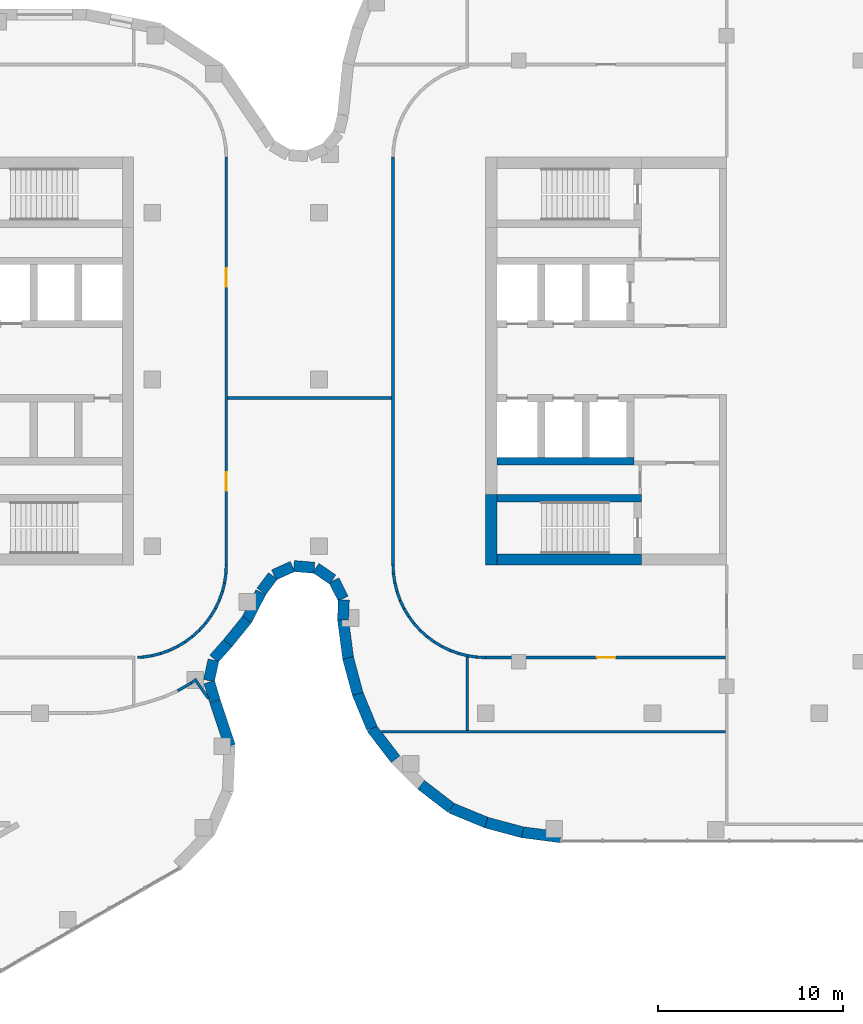
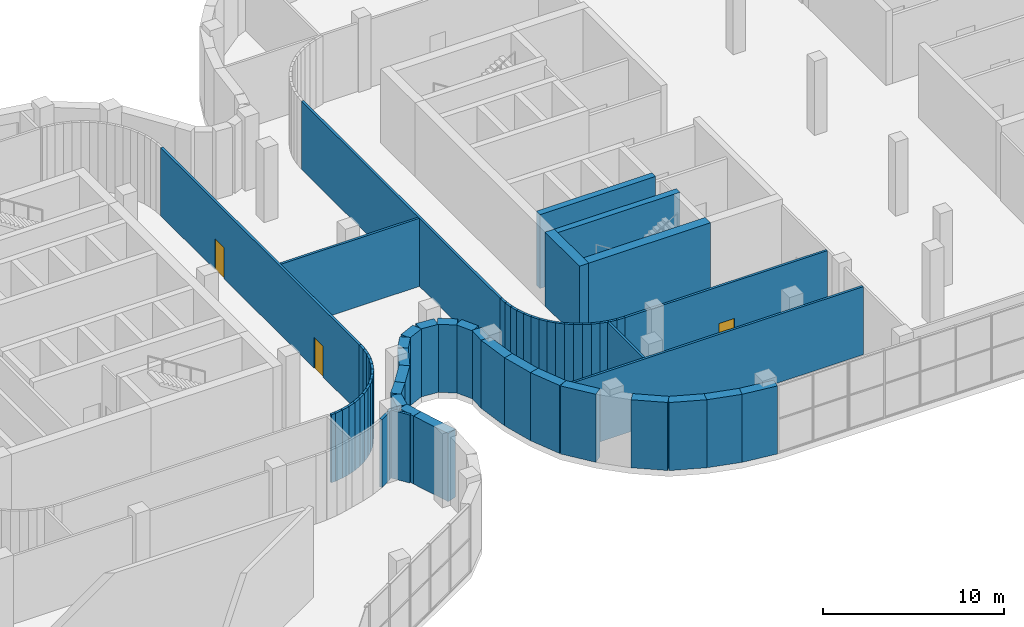
# One storey, part 14 of 24: 65 walls, 3 doors, 3 openings.
"""IFC4 building model written with IfcOpenShell, lengths in metres."""

from ifc_helpers import new_model, si_unit, direction, frame, frame_2d, origin, place, context, subcontext, project, spatial, rectangle, extrude, material, layer, layer_set, type_object, element, fill, save


model = new_model("IFC4")

# Units and contexts
model_context = context("Model", 3, precision=1e-05, world=origin(), true_north=direction((0.0, 1.0)))
body_context = subcontext(model_context, "Body", "Model", "MODEL_VIEW")
ifc_project = project(units=[si_unit("LENGTHUNIT", "METRE"), si_unit("AREAUNIT", "SQUARE_METRE"), si_unit("VOLUMEUNIT", "CUBIC_METRE"), si_unit("PLANEANGLEUNIT", "RADIAN"), si_unit("MASSUNIT", "GRAM", prefix="KILO")], contexts=[model_context])

# Site, building, storey
site_placement = place(None, origin())
site = spatial("IfcSite", under=ifc_project, at=site_placement, CompositionType="ELEMENT")
building_placement = place(site_placement, origin())
building = spatial("IfcBuilding", under=site, at=building_placement, Name="Skarvind Civic Tower", CompositionType="ELEMENT")
storey_placement = place(building_placement, frame((0.0, 0.0, 12.5)))
storey = spatial("IfcBuildingStorey", under=building, at=storey_placement, Name="L02", CompositionType="ELEMENT", Elevation=12.5)

# Walls
ifc_material_1 = material(Name="Concrete C80", Category="concrete")
ifc_layer_1 = layer(ifc_material_1, 0.39990234375)
ifc_layer_set_1 = layer_set([ifc_layer_1], Name="Core wall 400 C80")
wall_type_1 = type_object("IfcWallType", Name="Core wall 400 C80", PredefinedType="SHEAR", material=ifc_layer_set_1)
wall_1_placement = place(storey_placement, frame((127.60009765625, 120.60009765625, 0.0), z_axis=(0.0, 0.0, 1.0), x_axis=(1.0, 0.0, 0.0)))
element("IfcWall", 1, at=wall_1_placement, inside=storey, type_object=wall_type_1, Name="Core wall CA south stair inner L02", PredefinedType="SHEAR", context=body_context, shape_type="SweptSolid", body=[
    extrude(rectangle(XDim=7.7998046875, YDim=0.39990234375, at=frame_2d((3.89990234375, 0.0))), origin(), (0.0, 0.0, 1.0), 5.0),
])
wall_2_placement = place(storey_placement, frame((127.60009765625, 122.60009765625, 0.0), z_axis=(0.0, 0.0, 1.0), x_axis=(1.0, 0.0, 0.0)))
element("IfcWall", 2, at=wall_2_placement, inside=storey, type_object=wall_type_1, Name="Core wall CA south lift row back L02", PredefinedType="SHEAR", context=body_context, shape_type="SweptSolid", body=[
    extrude(rectangle(XDim=7.39990234375, YDim=0.39990234375, at=frame_2d((3.699951171875, 0.0))), origin(), (0.0, 0.0, 1.0), 5.0),
])
ifc_layer_2 = layer(ifc_material_1, 0.60009765625)
ifc_layer_set_2 = layer_set([ifc_layer_2], Name="Core wall 600 C80")
wall_type_2 = type_object("IfcWallType", Name="Core wall 600 C80", PredefinedType="SHEAR", material=ifc_layer_set_2)
wall_3_placement = place(storey_placement, frame((127.300048828125, 117.0, 0.0), z_axis=(0.0, 0.0, 1.0), x_axis=(0.0, 1.0, 0.0)))
element("IfcWall", 3, at=wall_3_placement, inside=storey, type_object=wall_type_2, Name="Core wall CA tip at the south stair L02", PredefinedType="SHEAR", context=body_context, shape_type="SweptSolid", body=[
    extrude(rectangle(XDim=3.800048828125, YDim=0.60009765625, at=frame_2d((1.89990234375, 0.0))), origin(), (0.0, 0.0, 1.0), 5.0),
])
wall_4_placement = place(storey_placement, frame((127.60009765625, 117.300048828125, 0.0), z_axis=(0.0, 0.0, 1.0), x_axis=(1.0, 0.0, 0.0)))
element("IfcWall", 4, at=wall_4_placement, inside=storey, type_object=wall_type_2, Name="Core wall CA south side at the stair L02", PredefinedType="SHEAR", context=body_context, shape_type="SweptSolid", body=[
    extrude(rectangle(XDim=7.7998046875, YDim=0.60009765625, at=frame_2d((3.89990234375, 0.0))), origin(), (0.0, 0.0, 1.0), 5.0),
])
ifc_material_2 = material(Name="Plasterboard partition on steel studs", Category="steel")
ifc_layer_3 = layer(ifc_material_2, 0.14990234375)
ifc_layer_set_3 = layer_set([ifc_layer_3], Name="PARTITION 150")
wall_type_3 = type_object("IfcWallType", Name="PARTITION 150", PredefinedType="PARTITIONING", material=ifc_layer_set_3)
wall_5_placement = place(storey_placement, frame((108.214111328125, 112.010009765625, 0.0), z_axis=(0.0, 0.0, 1.0), x_axis=(0.99876534507, 0.049676810357, 0.0)))
element("IfcWall", 5, at=wall_5_placement, inside=storey, type_object=wall_type_3, Name="Podium partition L02 190", PredefinedType="PARTITIONING", context=body_context, shape_type="SweptSolid", body=[
    extrude(rectangle(XDim=0.280029296875, YDim=0.14990234375, at=frame_2d((0.14013671875, 0.0))), origin(), (0.0, 0.0, 1.0), 4.60009765625),
])
wall_6_placement = place(storey_placement, frame((108.486083984375, 112.02294921875, 0.0), z_axis=(0.0, 0.0, 1.0), x_axis=(0.988925572052, 0.148412307247, 0.0)))
element("IfcWall", 6, at=wall_6_placement, inside=storey, type_object=wall_type_3, Name="Podium partition L02 193", PredefinedType="PARTITIONING", context=body_context, shape_type="SweptSolid", body=[
    extrude(rectangle(XDim=0.49853515625, YDim=0.14990234375, at=frame_2d((0.249267578125, 0.0))), origin(), (0.0, 0.0, 1.0), 4.60009765625),
])
wall_7_placement = place(storey_placement, frame((108.970947265625, 112.094970703125, 0.0), z_axis=(0.0, 0.0, 1.0), x_axis=(0.970113715952, 0.242650732785, 0.0)))
element("IfcWall", 7, at=wall_7_placement, inside=storey, type_object=wall_type_3, Name="Podium partition L02 196", PredefinedType="PARTITIONING", context=body_context, shape_type="SweptSolid", body=[
    extrude(rectangle(XDim=0.4990234375, YDim=0.14990234375, at=frame_2d((0.24951171875, 0.0))), origin(), (0.0, 0.0, 1.0), 4.60009765625),
])
for number, where, z_axis, x_axis, name in (
    (8, (109.447021484375, 112.214111328125, 0.0), (0.0, 0.0, 1.0), (0.941442168887, 0.3371744988, 0.0), "Podium partition L02 198"),
    (9, (109.909912109375, 112.37890625, 0.0), (0.0, 0.0, 1.0), (0.903827641978, 0.427896709028, 0.0), "Podium partition L02 201"),
):
    element("IfcWall", number, at=place(storey_placement, frame(where, z_axis=z_axis, x_axis=x_axis)), inside=storey, type_object=wall_type_3, Name=name, PredefinedType="PARTITIONING", context=body_context, shape_type="SweptSolid", body=[
        extrude(rectangle(XDim=0.498046875, YDim=0.14990234375, at=frame_2d((0.2490234375, 0.0))), origin(), (0.0, 0.0, 1.0), 4.60009765625),
    ])
wall_8_placement = place(storey_placement, frame((110.35400390625, 112.587890625, 0.0), z_axis=(0.0, 0.0, 1.0), x_axis=(0.85671397893, 0.515791778052, 0.0)))
element("IfcWall", 10, at=wall_8_placement, inside=storey, type_object=wall_type_3, Name="Podium partition L02 203", PredefinedType="PARTITIONING", context=body_context, shape_type="SweptSolid", body=[
    extrude(rectangle(XDim=0.49853515625, YDim=0.14990234375, at=frame_2d((0.249267578125, 0.0))), origin(), (0.0, 0.0, 1.0), 4.60009765625),
])
wall_9_placement = place(storey_placement, frame((110.37890625, 110.205078125, 0.0), z_axis=(0.0, 0.0, 1.0), x_axis=(0.865670246418, 0.500614646676, 0.0)))
element("IfcWall", 11, at=wall_9_placement, inside=storey, type_object=wall_type_3, Name="Podium partition L02 205", PredefinedType="PARTITIONING", context=body_context, shape_type="SweptSolid", body=[
    extrude(rectangle(XDim=0.8447265625, YDim=0.14990234375, at=frame_2d((0.42236328125, 0.0))), origin(), (0.0, 0.0, 1.0), 4.60009765625),
])
wall_10_placement = place(storey_placement, frame((110.77490234375, 112.841064453125, 0.0), z_axis=(0.0, 0.0, 1.0), x_axis=(0.80404358372, 0.594570362092, 0.0)))
element("IfcWall", 12, at=wall_10_placement, inside=storey, type_object=wall_type_3, Name="Podium partition L02 206", PredefinedType="PARTITIONING", context=body_context, shape_type="SweptSolid", body=[
    extrude(rectangle(XDim=0.49755859375, YDim=0.14990234375, at=frame_2d((0.248779296875, 0.0))), origin(), (0.0, 0.0, 1.0), 4.60009765625),
])
wall_11_placement = place(storey_placement, frame((111.10400390625, 110.6240234375, 0.0), z_axis=(0.0, 0.0, 1.0), x_axis=(0.810031464643, 0.586386413799, 0.0)))
element("IfcWall", 13, at=wall_11_placement, inside=storey, type_object=wall_type_3, Name="Podium partition L02 208", PredefinedType="PARTITIONING", context=body_context, shape_type="SweptSolid", body=[
    extrude(rectangle(XDim=0.358154296875, YDim=0.14990234375, at=frame_2d((0.17919921875, 0.0))), origin(), (0.0, 0.0, 1.0), 4.60009765625),
])
wall_12_placement = place(storey_placement, frame((111.1689453125, 113.133056640625, 0.0), z_axis=(0.0, 0.0, 1.0), x_axis=(0.742416880587, 0.66993818776, 0.0)))
element("IfcWall", 14, at=wall_12_placement, inside=storey, type_object=wall_type_3, Name="Podium partition L02 209", PredefinedType="PARTITIONING", context=body_context, shape_type="SweptSolid", body=[
    extrude(rectangle(XDim=0.49853515625, YDim=0.14990234375, at=frame_2d((0.249267578125, 0.0))), origin(), (0.0, 0.0, 1.0), 4.60009765625),
])
wall_13_placement = place(storey_placement, frame((111.3759765625, 110.72900390625, 0.0), z_axis=(0.0, 0.0, 1.0), x_axis=(0.573347602385, -0.819312227933, 0.0)))
element("IfcWall", 15, at=wall_13_placement, inside=storey, type_object=wall_type_3, Name="Podium partition L02 211", PredefinedType="PARTITIONING", context=body_context, shape_type="SweptSolid", body=[
    extrude(rectangle(XDim=1.142578125, YDim=0.14990234375, at=frame_2d((0.5712890625, 0.0))), origin(), (0.0, 0.0, 1.0), 4.60009765625),
])
wall_14_placement = place(storey_placement, frame((111.532958984375, 113.4609375, 0.0), z_axis=(0.0, 0.0, 1.0), x_axis=(0.66993818776, 0.742416880587, 0.0)))
element("IfcWall", 16, at=wall_14_placement, inside=storey, type_object=wall_type_3, Name="Podium partition L02 212", PredefinedType="PARTITIONING", context=body_context, shape_type="SweptSolid", body=[
    extrude(rectangle(XDim=0.49853515625, YDim=0.14990234375, at=frame_2d((0.249267578125, 0.0))), origin(), (0.0, 0.0, 1.0), 4.60009765625),
])
wall_15_placement = place(storey_placement, frame((111.863037109375, 113.824951171875, 0.0), z_axis=(0.0, 0.0, 1.0), x_axis=(0.594570362092, 0.80404358372, 0.0)))
element("IfcWall", 17, at=wall_15_placement, inside=storey, type_object=wall_type_3, Name="Podium partition L02 214", PredefinedType="PARTITIONING", context=body_context, shape_type="SweptSolid", body=[
    extrude(rectangle(XDim=0.49755859375, YDim=0.14990234375, at=frame_2d((0.248779296875, 0.0))), origin(), (0.0, 0.0, 1.0), 4.60009765625),
])
wall_16_placement = place(storey_placement, frame((112.155029296875, 114.218994140625, 0.0), z_axis=(0.0, 0.0, 1.0), x_axis=(0.515791778052, 0.85671397893, 0.0)))
element("IfcWall", 18, at=wall_16_placement, inside=storey, type_object=wall_type_3, Name="Podium partition L02 216", PredefinedType="PARTITIONING", context=body_context, shape_type="SweptSolid", body=[
    extrude(rectangle(XDim=0.49853515625, YDim=0.14990234375, at=frame_2d((0.249267578125, 0.0))), origin(), (0.0, 0.0, 1.0), 4.60009765625),
])
for number, where, z_axis, x_axis, name in (
    (19, (112.407958984375, 114.639892578125, 0.0), (0.0, 0.0, 1.0), (0.427896709028, 0.903827641978, 0.0), "Podium partition L02 218"),
    (20, (112.617919921875, 115.083984375, 0.0), (0.0, 0.0, 1.0), (0.3371744988, 0.941442168887, 0.0), "Podium partition L02 220"),
):
    element("IfcWall", number, at=place(storey_placement, frame(where, z_axis=z_axis, x_axis=x_axis)), inside=storey, type_object=wall_type_3, Name=name, PredefinedType="PARTITIONING", context=body_context, shape_type="SweptSolid", body=[
        extrude(rectangle(XDim=0.498046875, YDim=0.14990234375, at=frame_2d((0.2490234375, 0.0))), origin(), (0.0, 0.0, 1.0), 4.60009765625),
    ])
wall_17_placement = place(storey_placement, frame((112.783935546875, 115.544921875, 0.0), z_axis=(0.0, 0.0, 1.0), x_axis=(0.242650732785, 0.970113715952, 0.0)))
element("IfcWall", 21, at=wall_17_placement, inside=storey, type_object=wall_type_3, Name="Podium partition L02 222", PredefinedType="PARTITIONING", context=body_context, shape_type="SweptSolid", body=[
    extrude(rectangle(XDim=0.4990234375, YDim=0.14990234375, at=frame_2d((0.24951171875, 0.0))), origin(), (0.0, 0.0, 1.0), 4.60009765625),
])
wall_18_placement = place(storey_placement, frame((112.903076171875, 116.02099609375, 0.0), z_axis=(0.0, 0.0, 1.0), x_axis=(0.148412307247, 0.988925572052, 0.0)))
element("IfcWall", 22, at=wall_18_placement, inside=storey, type_object=wall_type_3, Name="Podium partition L02 224", PredefinedType="PARTITIONING", context=body_context, shape_type="SweptSolid", body=[
    extrude(rectangle(XDim=0.49853515625, YDim=0.14990234375, at=frame_2d((0.249267578125, 0.0))), origin(), (0.0, 0.0, 1.0), 4.60009765625),
])
wall_19_placement = place(storey_placement, frame((112.97607421875, 116.506103515625, 0.0), z_axis=(0.0, 0.0, 1.0), x_axis=(0.048196018647, 0.998837896651, 0.0)))
element("IfcWall", 23, at=wall_19_placement, inside=storey, type_object=wall_type_3, Name="Podium partition L02 226", PredefinedType="PARTITIONING", context=body_context, shape_type="SweptSolid", body=[
    extrude(rectangle(XDim=0.496337890625, YDim=0.14990234375, at=frame_2d((0.248046875, 0.0))), origin(), (0.0, 0.0, 1.0), 4.60009765625),
])

# Wall, openings, doors
wall_20_placement = place(storey_placement, frame((113.0, 139.001953125, 0.0), z_axis=(0.0, 0.0, 1.0), x_axis=(0.0, -1.0, 0.0)))
wall_20 = element("IfcWall", 24, at=wall_20_placement, inside=storey, type_object=wall_type_3, Name="Podium partition L02 228", PredefinedType="PARTITIONING", context=body_context, shape_type="SweptSolid", body=[
    extrude(rectangle(XDim=22.00390625, YDim=0.14990234375, at=frame_2d((11.001953125, 0.0))), origin(), (0.0, 0.0, 1.0), 4.60009765625),
])
opening_1_placement = place(wall_20_placement, frame((17.0, 0.0, 0.0)))
opening_1 = element("IfcOpeningElement", 25, at=opening_1_placement, cuts=wall_20, Name="Opening L02-D231", PredefinedType="OPENING", context=body_context, shape_type="SweptSolid", body=[
    extrude(rectangle(XDim=1.0, YDim=2.10009765625, at=frame_2d((0.5, 1.050048828125))), frame((0.0, 0.0849609375, 0.0), z_axis=(0.0, -1.0, 0.0), x_axis=(1.0, 0.0, 0.0)), (0.0, 0.0, 1.0), 0.169921875),
])
opening_2_placement = place(wall_20_placement, frame((6.00390625, 0.0, 0.0)))
opening_2 = element("IfcOpeningElement", 26, at=opening_2_placement, cuts=wall_20, Name="Opening L02-D232", PredefinedType="OPENING", context=body_context, shape_type="SweptSolid", body=[
    extrude(rectangle(XDim=1.0, YDim=2.10009765625, at=frame_2d((0.5, 1.050048828125))), frame((0.0, 0.0849609375, 0.0), z_axis=(0.0, -1.0, 0.0), x_axis=(1.0, 0.0, 0.0)), (0.0, 0.0, 1.0), 0.169921875),
])
ifc_material_3 = material(Name="Timber veneer door leaf", Category="wood")
door_type = type_object("IfcDoorType", Name="DOOR 1000X2100 TIMBER", OperationType="NOTDEFINED", PredefinedType="DOOR", material=ifc_material_3)
door_1_placement = place(opening_1_placement, origin())
door_1 = element("IfcDoor", 27, at=door_1_placement, inside=storey, type_object=door_type, Name="DOOR DOOR", OperationType="SINGLE_SWING_RIGHT", OverallHeight=2.10009765625, OverallWidth=1.0, PredefinedType="DOOR", context=body_context, shape_type="SweptSolid", body=[
    extrude(rectangle(XDim=1.0, YDim=2.10009765625, at=frame_2d((0.5, 1.050048828125))), frame((0.0, 0.02490234375, 0.0), z_axis=(0.0, -1.0, 0.0), x_axis=(1.0, 0.0, 0.0)), (0.0, 0.0, 1.0), 0.050048828125),
])
fill(opening_1, door_1)
door_2_placement = place(opening_2_placement, origin())
door_2 = element("IfcDoor", 28, at=door_2_placement, inside=storey, type_object=door_type, Name="DOOR DOOR", OperationType="SINGLE_SWING_LEFT", OverallHeight=2.10009765625, OverallWidth=1.0, PredefinedType="DOOR", context=body_context, shape_type="SweptSolid", body=[
    extrude(rectangle(XDim=1.0, YDim=2.10009765625, at=frame_2d((0.5, 1.050048828125))), frame((0.0, 0.02490234375, 0.0), z_axis=(0.0, -1.0, 0.0), x_axis=(1.0, 0.0, 0.0)), (0.0, 0.0, 1.0), 0.050048828125),
])
fill(opening_2, door_2)

# Walls
wall_21_placement = place(storey_placement, frame((113.074951171875, 126.0, 0.0), z_axis=(0.0, 0.0, 1.0), x_axis=(1.0, 0.0, 0.0)))
element("IfcWall", 29, at=wall_21_placement, inside=storey, type_object=wall_type_3, Name="Podium partition L02 229", PredefinedType="PARTITIONING", context=body_context, shape_type="SweptSolid", body=[
    extrude(rectangle(XDim=8.85009765625, YDim=0.14990234375, at=frame_2d((4.425048828125, 0.0))), origin(), (0.0, 0.0, 1.0), 4.60009765625),
])
wall_22_placement = place(storey_placement, frame((121.367919921875, 108.0, 0.0), z_axis=(0.0, 0.0, 1.0), x_axis=(1.0, 0.0, 0.0)))
element("IfcWall", 30, at=wall_22_placement, inside=storey, type_object=wall_type_3, Name="Podium partition L02 231", PredefinedType="PARTITIONING", context=body_context, shape_type="SweptSolid", body=[
    extrude(rectangle(XDim=18.55712890625, YDim=0.14990234375, at=frame_2d((9.278564453125, 0.0))), origin(), (0.0, 0.0, 1.0), 4.60009765625),
])
wall_23_placement = place(storey_placement, frame((122.0, 116.998046875, 0.0), z_axis=(0.0, 0.0, 1.0), x_axis=(0.0, 1.0, 0.0)))
element("IfcWall", 31, at=wall_23_placement, inside=storey, type_object=wall_type_3, Name="Podium partition L02 232", PredefinedType="PARTITIONING", context=body_context, shape_type="SweptSolid", body=[
    extrude(rectangle(XDim=22.00390625, YDim=0.14990234375, at=frame_2d((11.001953125, 0.0))), origin(), (0.0, 0.0, 1.0), 4.60009765625),
])
wall_24_placement = place(storey_placement, frame((122.0, 117.001953125, 0.0), z_axis=(0.0, 0.0, 1.0), x_axis=(0.048196018647, -0.998837896651, 0.0)))
element("IfcWall", 32, at=wall_24_placement, inside=storey, type_object=wall_type_3, Name="Podium partition L02 233", PredefinedType="PARTITIONING", context=body_context, shape_type="SweptSolid", body=[
    extrude(rectangle(XDim=0.496337890625, YDim=0.14990234375, at=frame_2d((0.248046875, 0.0))), origin(), (0.0, 0.0, 1.0), 4.60009765625),
])
wall_25_placement = place(storey_placement, frame((122.02294921875, 116.513916015625, 0.0), z_axis=(0.0, 0.0, 1.0), x_axis=(0.148412307247, -0.988925572052, 0.0)))
element("IfcWall", 33, at=wall_25_placement, inside=storey, type_object=wall_type_3, Name="Podium partition L02 235", PredefinedType="PARTITIONING", context=body_context, shape_type="SweptSolid", body=[
    extrude(rectangle(XDim=0.49853515625, YDim=0.14990234375, at=frame_2d((0.249267578125, 0.0))), origin(), (0.0, 0.0, 1.0), 4.60009765625),
])
wall_26_placement = place(storey_placement, frame((122.094970703125, 116.029052734375, 0.0), z_axis=(0.0, 0.0, 1.0), x_axis=(0.242650732785, -0.970113715952, 0.0)))
element("IfcWall", 34, at=wall_26_placement, inside=storey, type_object=wall_type_3, Name="Podium partition L02 237", PredefinedType="PARTITIONING", context=body_context, shape_type="SweptSolid", body=[
    extrude(rectangle(XDim=0.4990234375, YDim=0.14990234375, at=frame_2d((0.24951171875, 0.0))), origin(), (0.0, 0.0, 1.0), 4.60009765625),
])
for number, where, z_axis, x_axis, name in (
    (35, (122.214111328125, 115.552978515625, 0.0), (0.0, 0.0, 1.0), (0.3371744988, -0.941442168887, 0.0), "Podium partition L02 239"),
    (36, (122.37890625, 115.090087890625, 0.0), (0.0, 0.0, 1.0), (0.427896709028, -0.903827641978, 0.0), "Podium partition L02 241"),
):
    element("IfcWall", number, at=place(storey_placement, frame(where, z_axis=z_axis, x_axis=x_axis)), inside=storey, type_object=wall_type_3, Name=name, PredefinedType="PARTITIONING", context=body_context, shape_type="SweptSolid", body=[
        extrude(rectangle(XDim=0.498046875, YDim=0.14990234375, at=frame_2d((0.2490234375, 0.0))), origin(), (0.0, 0.0, 1.0), 4.60009765625),
    ])
wall_27_placement = place(storey_placement, frame((122.587890625, 114.64599609375, 0.0), z_axis=(0.0, 0.0, 1.0), x_axis=(0.515791778052, -0.85671397893, 0.0)))
element("IfcWall", 37, at=wall_27_placement, inside=storey, type_object=wall_type_3, Name="Podium partition L02 243", PredefinedType="PARTITIONING", context=body_context, shape_type="SweptSolid", body=[
    extrude(rectangle(XDim=0.49853515625, YDim=0.14990234375, at=frame_2d((0.249267578125, 0.0))), origin(), (0.0, 0.0, 1.0), 4.60009765625),
])
wall_28_placement = place(storey_placement, frame((122.841064453125, 114.22509765625, 0.0), z_axis=(0.0, 0.0, 1.0), x_axis=(0.594570362092, -0.80404358372, 0.0)))
element("IfcWall", 38, at=wall_28_placement, inside=storey, type_object=wall_type_3, Name="Podium partition L02 245", PredefinedType="PARTITIONING", context=body_context, shape_type="SweptSolid", body=[
    extrude(rectangle(XDim=0.49755859375, YDim=0.14990234375, at=frame_2d((0.248779296875, 0.0))), origin(), (0.0, 0.0, 1.0), 4.60009765625),
])
for number, where, z_axis, x_axis, name in (
    (39, (123.133056640625, 113.8310546875, 0.0), (0.0, 0.0, 1.0), (0.66993818776, -0.742416880587, 0.0), "Podium partition L02 247"),
    (40, (123.4609375, 113.467041015625, 0.0), (0.0, 0.0, 1.0), (0.742416880587, -0.66993818776, 0.0), "Podium partition L02 249"),
):
    element("IfcWall", number, at=place(storey_placement, frame(where, z_axis=z_axis, x_axis=x_axis)), inside=storey, type_object=wall_type_3, Name=name, PredefinedType="PARTITIONING", context=body_context, shape_type="SweptSolid", body=[
        extrude(rectangle(XDim=0.49853515625, YDim=0.14990234375, at=frame_2d((0.249267578125, 0.0))), origin(), (0.0, 0.0, 1.0), 4.60009765625),
    ])
wall_29_placement = place(storey_placement, frame((123.824951171875, 113.136962890625, 0.0), z_axis=(0.0, 0.0, 1.0), x_axis=(0.80404358372, -0.594570362092, 0.0)))
element("IfcWall", 41, at=wall_29_placement, inside=storey, type_object=wall_type_3, Name="Podium partition L02 251", PredefinedType="PARTITIONING", context=body_context, shape_type="SweptSolid", body=[
    extrude(rectangle(XDim=0.49755859375, YDim=0.14990234375, at=frame_2d((0.248779296875, 0.0))), origin(), (0.0, 0.0, 1.0), 4.60009765625),
])
wall_30_placement = place(storey_placement, frame((124.218994140625, 112.844970703125, 0.0), z_axis=(0.0, 0.0, 1.0), x_axis=(0.85671397893, -0.515791778052, 0.0)))
element("IfcWall", 42, at=wall_30_placement, inside=storey, type_object=wall_type_3, Name="Podium partition L02 253", PredefinedType="PARTITIONING", context=body_context, shape_type="SweptSolid", body=[
    extrude(rectangle(XDim=0.49853515625, YDim=0.14990234375, at=frame_2d((0.249267578125, 0.0))), origin(), (0.0, 0.0, 1.0), 4.60009765625),
])
for number, where, z_axis, x_axis, name in (
    (43, (124.639892578125, 112.592041015625, 0.0), (0.0, 0.0, 1.0), (0.903827641978, -0.427896709028, 0.0), "Podium partition L02 255"),
    (44, (125.083984375, 112.382080078125, 0.0), (0.0, 0.0, 1.0), (0.941442168887, -0.3371744988, 0.0), "Podium partition L02 257"),
):
    element("IfcWall", number, at=place(storey_placement, frame(where, z_axis=z_axis, x_axis=x_axis)), inside=storey, type_object=wall_type_3, Name=name, PredefinedType="PARTITIONING", context=body_context, shape_type="SweptSolid", body=[
        extrude(rectangle(XDim=0.498046875, YDim=0.14990234375, at=frame_2d((0.2490234375, 0.0))), origin(), (0.0, 0.0, 1.0), 4.60009765625),
    ])
wall_31_placement = place(storey_placement, frame((125.544921875, 112.216064453125, 0.0), z_axis=(0.0, 0.0, 1.0), x_axis=(0.970116111764, -0.242641154168, 0.0)))
element("IfcWall", 45, at=wall_31_placement, inside=storey, type_object=wall_type_3, Name="Podium partition L02 259", PredefinedType="PARTITIONING", context=body_context, shape_type="SweptSolid", body=[
    extrude(rectangle(XDim=0.54443359375, YDim=0.14990234375, at=frame_2d((0.272216796875, 0.0))), origin(), (0.0, 0.0, 1.0), 4.60009765625),
])
wall_32_placement = place(storey_placement, frame((126.0, 108.074951171875, 0.0), z_axis=(0.0, 0.0, 1.0), x_axis=(0.0, 1.0, 0.0)))
element("IfcWall", 46, at=wall_32_placement, inside=storey, type_object=wall_type_3, Name="Podium partition L02 261", PredefinedType="PARTITIONING", context=body_context, shape_type="SweptSolid", body=[
    extrude(rectangle(XDim=3.949951171875, YDim=0.14990234375, at=frame_2d((1.97509765625, 0.0))), origin(), (0.0, 0.0, 1.0), 4.60009765625),
])
wall_33_placement = place(storey_placement, frame((126.02490234375, 112.095947265625, 0.0), z_axis=(0.0, 0.0, 1.0), x_axis=(0.989041138834, -0.147640189971, 0.0)))
element("IfcWall", 47, at=wall_33_placement, inside=storey, type_object=wall_type_3, Name="Podium partition L02 263", PredefinedType="PARTITIONING", context=body_context, shape_type="SweptSolid", body=[
    extrude(rectangle(XDim=0.494384765625, YDim=0.14990234375, at=frame_2d((0.2470703125, 0.0))), origin(), (0.0, 0.0, 1.0), 4.60009765625),
])
wall_34_placement = place(storey_placement, frame((126.506103515625, 112.02392578125, 0.0), z_axis=(0.0, 0.0, 1.0), x_axis=(0.998837896651, -0.048196018647, 0.0)))
element("IfcWall", 48, at=wall_34_placement, inside=storey, type_object=wall_type_3, Name="Podium partition L02 264", PredefinedType="PARTITIONING", context=body_context, shape_type="SweptSolid", body=[
    extrude(rectangle(XDim=0.496337890625, YDim=0.14990234375, at=frame_2d((0.248046875, 0.0))), origin(), (0.0, 0.0, 1.0), 4.60009765625),
])

# Wall, opening, door
wall_35_placement = place(storey_placement, frame((139.925048828125, 112.0, 0.0), z_axis=(0.0, 0.0, 1.0), x_axis=(-1.0, 0.0, 0.0)))
wall_35 = element("IfcWall", 49, at=wall_35_placement, inside=storey, type_object=wall_type_3, Name="Podium partition L02 265", PredefinedType="PARTITIONING", context=body_context, shape_type="SweptSolid", body=[
    extrude(rectangle(XDim=12.927001953125, YDim=0.14990234375, at=frame_2d((6.46337890625, 0.0))), origin(), (0.0, 0.0, 1.0), 4.60009765625),
])
opening_3_placement = place(wall_35_placement, frame((5.925048828125, 0.0, 0.0)))
opening_3 = element("IfcOpeningElement", 50, at=opening_3_placement, cuts=wall_35, Name="Opening L02-D233", PredefinedType="OPENING", context=body_context, shape_type="SweptSolid", body=[
    extrude(rectangle(XDim=1.0, YDim=2.10009765625, at=frame_2d((0.5, 1.050048828125))), frame((0.0, 0.0849609375, 0.0), z_axis=(0.0, -1.0, 0.0), x_axis=(1.0, 0.0, 0.0)), (0.0, 0.0, 1.0), 0.169921875),
])
door_3_placement = place(opening_3_placement, origin())
door_3 = element("IfcDoor", 51, at=door_3_placement, inside=storey, type_object=door_type, Name="DOOR DOOR", OperationType="SINGLE_SWING_RIGHT", OverallHeight=2.10009765625, OverallWidth=1.0, PredefinedType="DOOR", context=body_context, shape_type="SweptSolid", body=[
    extrude(rectangle(XDim=1.0, YDim=2.10009765625, at=frame_2d((0.5, 1.050048828125))), frame((0.0, 0.02490234375, 0.0), z_axis=(0.0, -1.0, 0.0), x_axis=(1.0, 0.0, 0.0)), (0.0, 0.0, 1.0), 0.050048828125),
])
fill(opening_3, door_3)

# Walls
ifc_material_4 = material(Name="Limestone masonry cladding on insulated backing", Category="masonry")
ifc_layer_4 = layer(ifc_material_4, 0.60009765625)
ifc_layer_set_4 = layer_set([ifc_layer_4], Name="WX1 STONE FACADE WALL 600")
wall_type_4 = type_object("IfcWallType", Name="WX1 STONE FACADE WALL 600", PredefinedType="SOLIDWALL", material=ifc_layer_set_4)
wall_36_placement = place(storey_placement, frame((112.388427734375, 109.643310546875, 0.0), z_axis=(0.0, 0.0, 1.0), x_axis=(0.31642839289, -0.948616398853, 0.0)))
element("IfcWall", 52, at=wall_36_placement, inside=storey, type_object=wall_type_4, Name="STONE FACADE WALL", PredefinedType="SOLIDWALL", context=body_context, shape_type="SweptSolid", body=[
    extrude(rectangle(XDim=2.555419921875, YDim=0.60009765625, at=frame_2d((1.27783203125, 0.0))), origin(), (0.0, 0.0, 1.0), 4.60009765625),
])
wall_37_placement = place(storey_placement, frame((112.080810546875, 110.67578125, 0.0), z_axis=(0.0, 0.0, 1.0), x_axis=(0.285396142495, -0.958409641985, 0.0)))
element("IfcWall", 53, at=wall_37_placement, inside=storey, type_object=wall_type_4, Name="STONE FACADE WALL", PredefinedType="SOLIDWALL", context=body_context, shape_type="SweptSolid", body=[
    extrude(rectangle(XDim=1.067626953125, YDim=0.60009765625, at=frame_2d((0.53369140625, 0.0))), origin(), (0.0, 0.0, 1.0), 4.60009765625),
])
wall_38_placement = place(storey_placement, frame((112.309814453125, 111.859130859375, 0.0), z_axis=(0.0, 0.0, 1.0), x_axis=(-0.216998636299, -0.976171906912, 0.0)))
element("IfcWall", 54, at=wall_38_placement, inside=storey, type_object=wall_type_4, Name="STONE FACADE WALL", PredefinedType="SOLIDWALL", context=body_context, shape_type="SweptSolid", body=[
    extrude(rectangle(XDim=1.137451171875, YDim=0.60009765625, at=frame_2d((0.56884765625, 0.0))), origin(), (0.0, 0.0, 1.0), 4.60009765625),
])
wall_39_placement = place(storey_placement, frame((113.0791015625, 112.77392578125, 0.0), z_axis=(0.0, 0.0, 1.0), x_axis=(-0.664538540083, -0.747253992123, 0.0)))
element("IfcWall", 55, at=wall_39_placement, inside=storey, type_object=wall_type_4, Name="STONE FACADE WALL", PredefinedType="SOLIDWALL", context=body_context, shape_type="SweptSolid", body=[
    extrude(rectangle(XDim=1.12744140625, YDim=0.60009765625, at=frame_2d((0.563720703125, 0.0))), origin(), (0.0, 0.0, 1.0), 4.60009765625),
])
wall_40_placement = place(storey_placement, frame((114.114501953125, 114.05078125, 0.0), z_axis=(0.0, 0.0, 1.0), x_axis=(-0.630015715698, -0.77658238325, 0.0)))
element("IfcWall", 56, at=wall_40_placement, inside=storey, type_object=wall_type_4, Name="STONE FACADE WALL", PredefinedType="SOLIDWALL", context=body_context, shape_type="SweptSolid", body=[
    extrude(rectangle(XDim=1.657470703125, YDim=0.60009765625, at=frame_2d((0.82861328125, 0.0))), origin(), (0.0, 0.0, 1.0), 4.60009765625),
])
wall_41_placement = place(storey_placement, frame((114.865478515625, 115.524658203125, 0.0), z_axis=(0.0, 0.0, 1.0), x_axis=(-0.454203210797, -0.890898110505, 0.0)))
element("IfcWall", 57, at=wall_41_placement, inside=storey, type_object=wall_type_4, Name="STONE FACADE WALL", PredefinedType="SOLIDWALL", context=body_context, shape_type="SweptSolid", body=[
    extrude(rectangle(XDim=1.687255859375, YDim=0.60009765625, at=frame_2d((0.84375, 0.0))), origin(), (0.0, 0.0, 1.0), 4.60009765625),
])
wall_42_placement = place(storey_placement, frame((115.5166015625, 116.39990234375, 0.0), z_axis=(0.0, 0.0, 1.0), x_axis=(-0.60018790921, -0.799859033604, 0.0)))
element("IfcWall", 58, at=wall_42_placement, inside=storey, type_object=wall_type_4, Name="STONE FACADE WALL", PredefinedType="SOLIDWALL", context=body_context, shape_type="SweptSolid", body=[
    extrude(rectangle(XDim=1.039306640625, YDim=0.60009765625, at=frame_2d((0.51953125, 0.0))), origin(), (0.0, 0.0, 1.0), 4.60009765625),
])
for number, where, z_axis, x_axis, name in (
    (59, (116.5771484375, 116.91015625, 0.0), (0.0, 0.0, 1.0), (-0.912911040257, -0.408158587533, 0.0), "STONE FACADE WALL"),
    (60, (117.751953125, 116.841552734375, 0.0), (0.0, 0.0, 1.0), (-0.996273540208, 0.086249829453, 0.0), "STONE FACADE WALL"),
):
    element("IfcWall", number, at=place(storey_placement, frame(where, z_axis=z_axis, x_axis=x_axis)), inside=storey, type_object=wall_type_4, Name=name, PredefinedType="SOLIDWALL", context=body_context, shape_type="SweptSolid", body=[
        extrude(rectangle(XDim=1.109619140625, YDim=0.60009765625, at=frame_2d((0.5546875, 0.0))), origin(), (0.0, 0.0, 1.0), 4.60009765625),
    ])
for number, where, z_axis, x_axis, name in (
    (61, (118.74560546875, 116.211181640625, 0.0), (0.0, 0.0, 1.0), (-0.829195474535, 0.558958732834, 0.0), "STONE FACADE WALL"),
    (62, (119.308837890625, 115.177978515625, 0.0), (0.0, 0.0, 1.0), (-0.453803794189, 0.891101630781, 0.0), "STONE FACADE WALL"),
):
    element("IfcWall", number, at=place(storey_placement, frame(where, z_axis=z_axis, x_axis=x_axis)), inside=storey, type_object=wall_type_4, Name=name, PredefinedType="SOLIDWALL", context=body_context, shape_type="SweptSolid", body=[
        extrude(rectangle(XDim=1.109375, YDim=0.60009765625, at=frame_2d((0.5546875, 0.0))), origin(), (0.0, 0.0, 1.0), 4.60009765625),
    ])
wall_43_placement = place(storey_placement, frame((119.30029296875, 114.02099609375, 0.0), z_axis=(0.0, 0.0, 1.0), x_axis=(0.035627591166, 0.999365135848, 0.0)))
element("IfcWall", 63, at=wall_43_placement, inside=storey, type_object=wall_type_4, Name="STONE FACADE WALL", PredefinedType="SOLIDWALL", context=body_context, shape_type="SweptSolid", body=[
    extrude(rectangle(XDim=1.089599609375, YDim=0.60009765625, at=frame_2d((0.544921875, 0.0))), origin(), (0.0, 0.0, 1.0), 4.60009765625),
])
wall_44_placement = place(storey_placement, frame((119.57568359375, 111.947509765625, 0.0), z_axis=(0.0, 0.0, 1.0), x_axis=(-0.130558200013, 0.991440646942, 0.0)))
element("IfcWall", 64, at=wall_44_placement, inside=storey, type_object=wall_type_4, Name="STONE FACADE WALL", PredefinedType="SOLIDWALL", context=body_context, shape_type="SweptSolid", body=[
    extrude(rectangle(XDim=2.1318359375, YDim=0.60009765625, at=frame_2d((1.06591796875, 0.0))), origin(), (0.0, 0.0, 1.0), 4.60009765625),
])
wall_45_placement = place(storey_placement, frame((120.091552734375, 110.032470703125, 0.0), z_axis=(0.0, 0.0, 1.0), x_axis=(-0.258804467146, 0.965929732323, 0.0)))
element("IfcWall", 65, at=wall_45_placement, inside=storey, type_object=wall_type_4, Name="STONE FACADE WALL", PredefinedType="SOLIDWALL", context=body_context, shape_type="SweptSolid", body=[
    extrude(rectangle(XDim=2.0224609375, YDim=0.60009765625, at=frame_2d((1.01123046875, 0.0))), origin(), (0.0, 0.0, 1.0), 4.60009765625),
])
wall_46_placement = place(storey_placement, frame((120.8603515625, 108.1806640625, 0.0), z_axis=(0.0, 0.0, 1.0), x_axis=(-0.382341242798, 0.924021197839, 0.0)))
element("IfcWall", 66, at=wall_46_placement, inside=storey, type_object=wall_type_4, Name="STONE FACADE WALL", PredefinedType="SOLIDWALL", context=body_context, shape_type="SweptSolid", body=[
    extrude(rectangle(XDim=2.0439453125, YDim=0.60009765625, at=frame_2d((1.02197265625, 0.0))), origin(), (0.0, 0.0, 1.0), 4.60009765625),
])
wall_47_placement = place(storey_placement, frame((122.135498046875, 106.50732421875, 0.0), z_axis=(0.0, 0.0, 1.0), x_axis=(-0.609052002567, 0.79313029079, 0.0)))
element("IfcWall", 67, at=wall_47_placement, inside=storey, type_object=wall_type_4, Name="STONE FACADE WALL", PredefinedType="SOLIDWALL", context=body_context, shape_type="SweptSolid", body=[
    extrude(rectangle(XDim=2.114013671875, YDim=0.60009765625, at=frame_2d((1.05712890625, 0.0))), origin(), (0.0, 0.0, 1.0), 4.60009765625),
])
wall_48_placement = place(storey_placement, frame((125.12841796875, 103.890625, 0.0), z_axis=(0.0, 0.0, 1.0), x_axis=(-0.793125485267, 0.609058260448, 0.0)))
element("IfcWall", 68, at=wall_48_placement, inside=storey, type_object=wall_type_4, Name="STONE FACADE WALL", PredefinedType="SOLIDWALL", context=body_context, shape_type="SweptSolid", body=[
    extrude(rectangle(XDim=2.0439453125, YDim=0.60009765625, at=frame_2d((1.02197265625, 0.0))), origin(), (0.0, 0.0, 1.0), 4.60009765625),
])
wall_49_placement = place(storey_placement, frame((127.0693359375, 103.078857421875, 0.0), z_axis=(0.0, 0.0, 1.0), x_axis=(-0.924006983526, 0.382375593358, 0.0)))
element("IfcWall", 69, at=wall_49_placement, inside=storey, type_object=wall_type_4, Name="STONE FACADE WALL", PredefinedType="SOLIDWALL", context=body_context, shape_type="SweptSolid", body=[
    extrude(rectangle(XDim=2.114013671875, YDim=0.60009765625, at=frame_2d((1.05712890625, 0.0))), origin(), (0.0, 0.0, 1.0), 4.60009765625),
])
wall_50_placement = place(storey_placement, frame((128.986083984375, 102.568115234375, 0.0), z_axis=(0.0, 0.0, 1.0), x_axis=(-0.965929732323, 0.258804467146, 0.0)))
element("IfcWall", 70, at=wall_50_placement, inside=storey, type_object=wall_type_4, Name="STONE FACADE WALL", PredefinedType="SOLIDWALL", context=body_context, shape_type="SweptSolid", body=[
    extrude(rectangle(XDim=2.0224609375, YDim=0.60009765625, at=frame_2d((1.01123046875, 0.0))), origin(), (0.0, 0.0, 1.0), 4.60009765625),
])
wall_51_placement = place(storey_placement, frame((131.06103515625, 102.29736328125, 0.0), z_axis=(0.0, 0.0, 1.0), x_axis=(-0.991440646942, 0.130558200013, 0.0)))
element("IfcWall", 71, at=wall_51_placement, inside=storey, type_object=wall_type_4, Name="STONE FACADE WALL", PredefinedType="SOLIDWALL", context=body_context, shape_type="SweptSolid", body=[
    extrude(rectangle(XDim=2.1318359375, YDim=0.60009765625, at=frame_2d((1.06591796875, 0.0))), origin(), (0.0, 0.0, 1.0), 4.60009765625),
])

save(model, "model.ifc")
